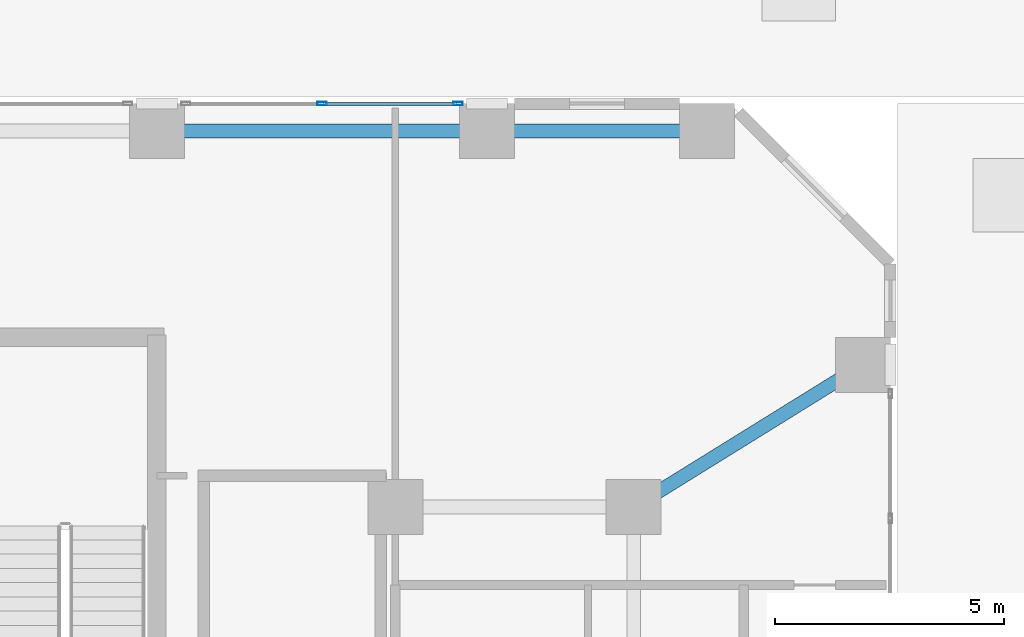
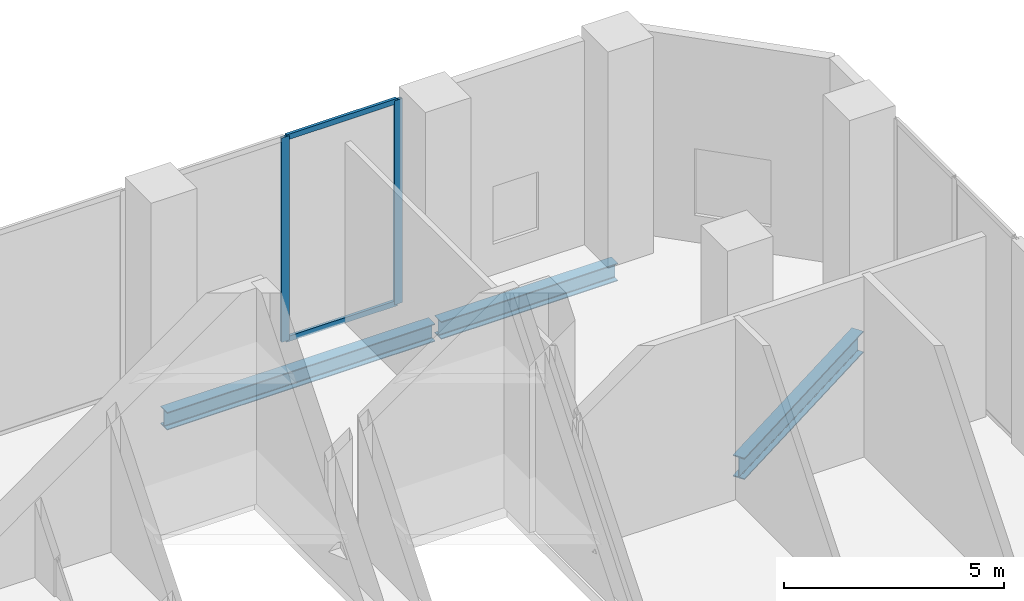
# One storey, part 14 of 26: 4 members, 3 beams, 1 element without a shape of its own.
"""IFC4 building model written with IfcOpenShell, lengths in metres."""

from ifc_helpers import new_model, si_unit, direction, frame, origin, origin_2d, place, context, subcontext, project, spatial, hollow_rectangle, i_section, extrude, material, layer, layer_set, material_profile, profile_set, type_object, element, aggregate, save


model = new_model("IFC4")

# Units and contexts
model_context = context("Model", 3, precision=1e-05, world=origin(), true_north=direction((0.0, 1.0)))
body_context = subcontext(model_context, "Body", "Model", "MODEL_VIEW")
ifc_project = project(units=[si_unit("LENGTHUNIT", "METRE"), si_unit("AREAUNIT", "SQUARE_METRE"), si_unit("VOLUMEUNIT", "CUBIC_METRE"), si_unit("PLANEANGLEUNIT", "RADIAN"), si_unit("MASSUNIT", "GRAM", prefix="KILO")], contexts=[model_context])

# Site, building, storey
site_placement = place(None, origin())
site = spatial("IfcSite", under=ifc_project, at=site_placement, CompositionType="ELEMENT")
building_placement = place(site_placement, origin())
building = spatial("IfcBuilding", under=site, at=building_placement, Name="Catumbela Crestline Tower", CompositionType="ELEMENT")
storey_placement = place(building_placement, origin())
storey = spatial("IfcBuildingStorey", under=building, at=storey_placement, Name="L00", CompositionType="ELEMENT", Elevation=0.0)

# Beam
ifc_material_1 = material(Name="Structural steel S355J2", Category="steel")
ifc_material_profile_1 = material_profile(ifc_material_1, i_section(OverallWidth=0.3, OverallDepth=0.6, WebThickness=0.0155, FlangeThickness=0.03, FilletRadius=0.027, at=origin_2d()), Name="HEB 600")
ifc_profile_set_1 = profile_set([ifc_material_profile_1], Name="Structural steel S355J2")
beam_type_1 = type_object("IfcBeamType", Name="BG-HEB600", PredefinedType="BEAM", material=ifc_profile_set_1)
beam_1_placement = place(storey_placement, frame((50.468, 39.2422, -0.62), z_axis=(0.849908952007, 0.526929571479, 0.0), x_axis=(-0.526929571479, 0.849908952007, 0.0)))
element("IfcBeam", 1, at=beam_1_placement, inside=storey, type_object=beam_type_1, Name="L00 Beam BM-L00-N16", PredefinedType="BEAM", context=body_context, shape_type="SweptSolid", body=[
    extrude(i_section(OverallWidth=0.3, OverallDepth=0.6, WebThickness=0.0155, FlangeThickness=0.03, FilletRadius=0.027, at=origin_2d()), origin(), (0.0, 0.0, 1.0), 5.723),
])

# Curtain wall, members
ifc_material_2 = material(Name="Aluminium alloy AW-6060-T66", Category="aluminium")
ifc_layer = layer(ifc_material_2, 0.18, Name="Aluminium alloy AW-6060-T66")
ifc_layer_set = layer_set([ifc_layer], Name="Aluminium alloy AW-6060-T66")
curtain_wall_type = type_object("IfcCurtainWallType", Name="CWS-POD", PredefinedType="USERDEFINED", material=ifc_layer_set)
curtain_wall_placement = place(storey_placement, origin())
curtain_wall = element("IfcCurtainWall", 2, at=curtain_wall_placement, inside=storey, type_object=curtain_wall_type, Name="L00 Stick Curtain Wall CW-L00-E7S2", ObjectType="STICK", PredefinedType="USERDEFINED")
ifc_material_profile_2 = material_profile(ifc_material_2, hollow_rectangle(XDim=0.075, YDim=0.2, WallThickness=0.005, at=origin_2d()), Name="ALU 200x75x5")
ifc_profile_set_2 = profile_set([ifc_material_profile_2], Name="Aluminium alloy AW-6060-T66")
member_type_1 = type_object("IfcMemberType", Name="MUL-200X75", PredefinedType="MULLION", material=ifc_profile_set_2)
member_1_placement = place(storey_placement, frame((46.5675, 48.0, 0.0), z_axis=(0.0, 0.0, 1.0), x_axis=(0.0, -1.0, 0.0)))
member_1 = element("IfcMember", 3, at=member_1_placement, type_object=member_type_1, Name="CWS-POD mullion 1", PredefinedType="MULLION", context=body_context, shape_type="SweptSolid", body=[
    extrude(hollow_rectangle(XDim=0.075, YDim=0.2, WallThickness=0.005, at=origin_2d()), origin(), (0.0, 0.0, 1.0), 5.67),
])
member_2_placement = place(storey_placement, frame((43.6, 48.0, 0.0), z_axis=(0.0, 0.0, 1.0), x_axis=(0.0, -1.0, 0.0)))
member_2 = element("IfcMember", 4, at=member_2_placement, type_object=member_type_1, Name="CWS-POD mullion 2", PredefinedType="MULLION", context=body_context, shape_type="SweptSolid", body=[
    extrude(hollow_rectangle(XDim=0.075, YDim=0.2, WallThickness=0.005, at=origin_2d()), origin(), (0.0, 0.0, 1.0), 5.67),
])

# Beams
ifc_material_profile_3 = material_profile(ifc_material_1, i_section(OverallWidth=0.3, OverallDepth=0.49, WebThickness=0.012, FlangeThickness=0.023, FilletRadius=0.027, at=origin_2d()), Name="HEA 500")
ifc_profile_set_3 = profile_set([ifc_material_profile_3], Name="Structural steel S355J2")
beam_type_2 = type_object("IfcBeamType", Name="BS-HEA500", PredefinedType="SPANDREL", material=ifc_profile_set_3)
beam_2_placement = place(storey_placement, frame((40.08, 47.4, -0.565), z_axis=(1.0, 0.0, 0.0), x_axis=(0.0, 1.0, 0.0)))
element("IfcBeam", 5, at=beam_2_placement, inside=storey, type_object=beam_type_2, Name="L00 Spandrel SP-L00-NF21", PredefinedType="SPANDREL", context=body_context, shape_type="SweptSolid", body=[
    extrude(i_section(OverallWidth=0.3, OverallDepth=0.49, WebThickness=0.012, FlangeThickness=0.023, FilletRadius=0.027, at=origin_2d()), origin(), (0.0, 0.0, 1.0), 7.04),
])
beam_3_placement = place(storey_placement, frame((47.28, 47.4, -0.565), z_axis=(1.0, 0.0, 0.0), x_axis=(0.0, 1.0, 0.0)))
element("IfcBeam", 6, at=beam_3_placement, inside=storey, type_object=beam_type_2, Name="L00 Spandrel SP-L00-NF22", PredefinedType="SPANDREL", context=body_context, shape_type="SweptSolid", body=[
    extrude(i_section(OverallWidth=0.3, OverallDepth=0.49, WebThickness=0.012, FlangeThickness=0.023, FilletRadius=0.027, at=origin_2d()), origin(), (0.0, 0.0, 1.0), 4.64),
])

# Member
ifc_material_profile_4 = material_profile(ifc_material_2, hollow_rectangle(XDim=0.075, YDim=0.15, WallThickness=0.0045, at=origin_2d()), Name="ALU 150x75x4.5")
ifc_profile_set_4 = profile_set([ifc_material_profile_4], Name="Aluminium alloy AW-6060-T66")
member_type_2 = type_object("IfcMemberType", Name="TRN-150X75", PredefinedType="USERDEFINED", material=ifc_profile_set_4)
member_3_placement = place(storey_placement, frame((46.535, 48.0, 0.03), z_axis=(-1.0, 0.0, 0.0), x_axis=(0.0, -1.0, 0.0)))
member_3 = element("IfcMember", 7, at=member_3_placement, type_object=member_type_2, Name="CWS-POD transom 1.1", ObjectType="TRANSOM", PredefinedType="USERDEFINED", context=body_context, shape_type="SweptSolid", body=[
    extrude(hollow_rectangle(XDim=0.075, YDim=0.15, WallThickness=0.0045, at=origin_2d()), origin(), (0.0, 0.0, 1.0), 2.9025),
])

member_4_placement = place(storey_placement, frame((46.535, 48.0, 5.64), z_axis=(-1.0, 0.0, 0.0), x_axis=(0.0, -1.0, 0.0)))
member_4 = element("IfcMember", 8, at=member_4_placement, type_object=member_type_2, Name="CWS-POD transom 1.2", ObjectType="TRANSOM", PredefinedType="USERDEFINED", context=body_context, shape_type="SweptSolid", body=[
    extrude(hollow_rectangle(XDim=0.075, YDim=0.15, WallThickness=0.0045, at=origin_2d()), origin(), (0.0, 0.0, 1.0), 2.9025),
])

aggregate(curtain_wall, [member_1, member_2, member_3, member_4])

save(model, "model.ifc")
